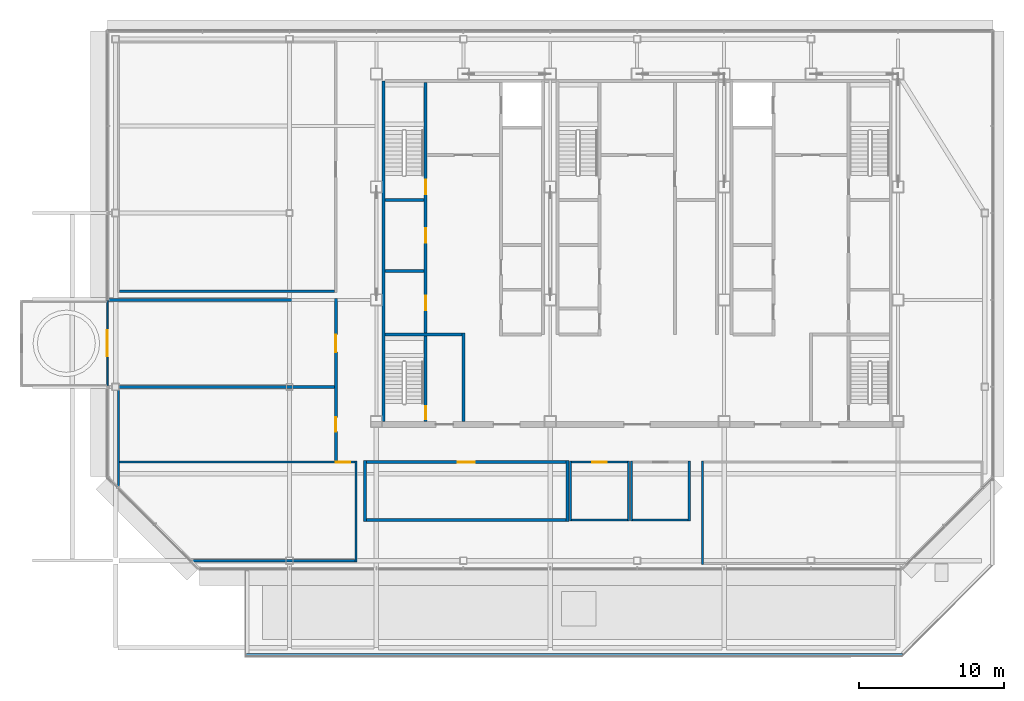
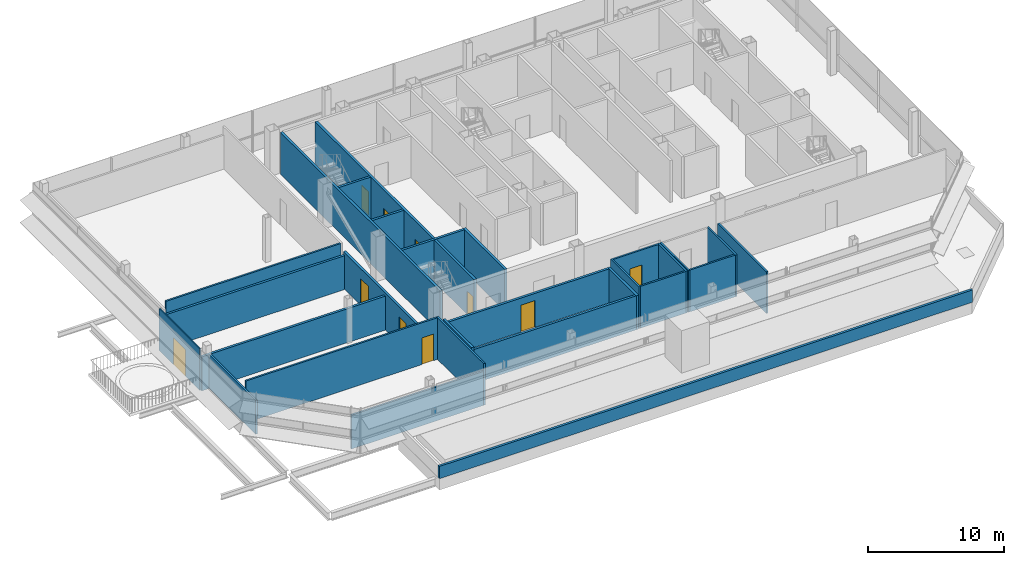
# One storey, part 20 of 26: 28 walls, 10 doors, 10 openings.
"""IFC4 building model written with IfcOpenShell, lengths in metres."""

from ifc_helpers import new_model, si_unit, direction, frame, frame_2d, origin, place, context, subcontext, project, spatial, rectangle, extrude, material, layer, layer_set, type_object, element, fill, save


model = new_model("IFC4")

# Units and contexts
model_context = context("Model", 3, precision=1e-05, world=origin(), true_north=direction((0.0, 1.0)))
body_context = subcontext(model_context, "Body", "Model", "MODEL_VIEW")
ifc_project = project(units=[si_unit("LENGTHUNIT", "METRE"), si_unit("AREAUNIT", "SQUARE_METRE"), si_unit("VOLUMEUNIT", "CUBIC_METRE"), si_unit("PLANEANGLEUNIT", "RADIAN"), si_unit("MASSUNIT", "GRAM", prefix="KILO")], contexts=[model_context])

# Site, building, storey
site_placement = place(None, origin())
site = spatial("IfcSite", under=ifc_project, at=site_placement, CompositionType="ELEMENT")
building_placement = place(site_placement, origin())
building = spatial("IfcBuilding", under=site, at=building_placement, Name="Sorahane Residences", CompositionType="ELEMENT")
storey_placement = place(building_placement, frame((0.0, 0.0, 337.800048828125)))
storey = spatial("IfcBuildingStorey", under=building, at=storey_placement, Name="L80", CompositionType="ELEMENT", Elevation=337.800048828125)

# Wall
ifc_material_1 = material(Name="Concrete C30", Category="concrete")
ifc_layer_1 = layer(ifc_material_1, 0.199951171875)
ifc_layer_set_1 = layer_set([ifc_layer_1], Name="Core face wall 200 EI 180")
wall_type_1 = type_object("IfcWallType", Name="Core face wall 200 EI 180", PredefinedType="SOLIDWALL", material=ifc_layer_set_1)
wall_1_placement = place(storey_placement, frame((6.5, 21.60009765625, 0.0), z_axis=(0.0, 0.0, 1.0), x_axis=(0.0, 1.0, 0.0)))
element("IfcWall", 1, at=wall_1_placement, inside=storey, type_object=wall_type_1, Name="L80 core face wall", PredefinedType="SOLIDWALL", context=body_context, shape_type="SweptSolid", body=[
    extrude(rectangle(XDim=23.5, YDim=0.199951171875, at=frame_2d((11.75, 0.0))), origin(), (0.0, 0.0, 1.0), 3.75),
])

# Wall, openings, doors
ifc_material_2 = material(Name="Concrete blockwork C20 wall", Category="masonry")
ifc_layer_2 = layer(ifc_material_2, 0.199951171875)
ifc_layer_set_2 = layer_set([ifc_layer_2], Name="Corridor wall 200 EI 120")
wall_type_2 = type_object("IfcWallType", Name="Corridor wall 200 EI 120", PredefinedType="SOLIDWALL", material=ifc_layer_set_2)
wall_2_placement = place(storey_placement, frame((3.199951171875, 18.875, 0.0), z_axis=(0.0, 0.0, 1.0), x_axis=(0.0, 1.0, 0.0)))
wall_2 = element("IfcWall", 2, at=wall_2_placement, inside=storey, type_object=wall_type_2, Name="L80 corridor wall", PredefinedType="SOLIDWALL", context=body_context, shape_type="SweptSolid", body=[
    extrude(rectangle(XDim=11.22509765625, YDim=0.199951171875, at=frame_2d((5.612548828125, 0.0))), origin(), (0.0, 0.0, 1.0), 3.300048828125),
])
opening_1_placement = place(wall_2_placement, frame((2.02490234375, 0.0, 0.0)))
opening_1 = element("IfcOpeningElement", 3, at=opening_1_placement, cuts=wall_2, Name="Opening L80-06", PredefinedType="OPENING", context=body_context, shape_type="SweptSolid", body=[
    extrude(rectangle(XDim=1.0, YDim=2.39990234375, at=frame_2d((0.5, 1.199951171875))), frame((0.0, 0.10986328125, 0.0), z_axis=(0.0, -1.0, 0.0), x_axis=(1.0, 0.0, 0.0)), (0.0, 0.0, 1.0), 0.219970703125),
])
opening_2_placement = place(wall_2_placement, frame((7.52490234375, 0.0, 0.0)))
opening_2 = element("IfcOpeningElement", 4, at=opening_2_placement, cuts=wall_2, Name="Opening L80-08", PredefinedType="OPENING", context=body_context, shape_type="SweptSolid", body=[
    extrude(rectangle(XDim=1.199951171875, YDim=2.39990234375, at=frame_2d((0.60009765625, 1.199951171875))), frame((0.0, 0.10986328125, 0.0), z_axis=(0.0, -1.0, 0.0), x_axis=(1.0, 0.0, 0.0)), (0.0, 0.0, 1.0), 0.219970703125),
])
ifc_material_3 = material(Name="Steel", Category="steel")
door_type_1 = type_object("IfcDoorType", Name="Lobby door 1200x2400 FD60", OperationType="NOTDEFINED", PredefinedType="DOOR", material=ifc_material_3)
door_1_placement = place(opening_2_placement, frame((1.199951171875, 0.0, 0.0), z_axis=(0.0, 0.0, 1.0), x_axis=(-1.0, 0.0, 0.0)))
door_1 = element("IfcDoor", 5, at=door_1_placement, inside=storey, type_object=door_type_1, Name="Lobby door L80-08", OperationType="SINGLE_SWING_LEFT", OverallHeight=2.39990234375, OverallWidth=1.199951171875, PredefinedType="DOOR", context=body_context, shape_type="SweptSolid", body=[
    extrude(rectangle(XDim=1.199951171875, YDim=2.39990234375, at=frame_2d((0.60009765625, 1.199951171875))), frame((0.0, 0.02490234375, 0.0), z_axis=(0.0, -1.0, 0.0), x_axis=(1.0, 0.0, 0.0)), (0.0, 0.0, 1.0), 0.050048828125),
])
fill(opening_2, door_1)
ifc_material_4 = material(Name="Timber veneered fire door", Category="wood")
door_type_2 = type_object("IfcDoorType", Name="Room door 1000x2400 FD30", OperationType="NOTDEFINED", PredefinedType="DOOR", material=ifc_material_4)
door_2_placement = place(opening_1_placement, origin())
door_2 = element("IfcDoor", 6, at=door_2_placement, inside=storey, type_object=door_type_2, Name="Room door L80-06", OperationType="SINGLE_SWING_RIGHT", OverallHeight=2.39990234375, OverallWidth=1.0, PredefinedType="DOOR", context=body_context, shape_type="SweptSolid", body=[
    extrude(rectangle(XDim=1.0, YDim=2.39990234375, at=frame_2d((0.5, 1.199951171875))), frame((0.0, 0.02490234375, 0.0), z_axis=(0.0, -1.0, 0.0), x_axis=(1.0, 0.0, 0.0)), (0.0, 0.0, 1.0), 0.050048828125),
])
fill(opening_1, door_2)

# Walls
for number, where, z_axis, x_axis, name in (
    (7, (-12.5, 24.0, 0.0), (0.0, 0.0, 1.0), (1.0, 0.0, 0.0), "L80 corridor wall"),
    (8, (-12.5, 30.0, 0.0), (0.0, 0.0, 1.0), (1.0, 0.0, 0.0), "L80 corridor wall"),
):
    element("IfcWall", number, at=place(storey_placement, frame(where, z_axis=z_axis, x_axis=x_axis)), inside=storey, type_object=wall_type_2, Name=name, PredefinedType="SOLIDWALL", context=body_context, shape_type="SweptSolid", body=[
        extrude(rectangle(XDim=15.60009765625, YDim=0.199951171875, at=frame_2d((7.800048828125, 0.0))), origin(), (0.0, 0.0, 1.0), 3.050048828125),
    ])
ifc_material_5 = material(Name="Concrete C30", Category="concrete")
ifc_layer_3 = layer(ifc_material_5, 0.199951171875)
ifc_layer_set_3 = layer_set([ifc_layer_3], Name="Front room wall 200 EI 120")
wall_type_3 = type_object("IfcWallType", Name="Front room wall 200 EI 120", PredefinedType="PARTITIONING", material=ifc_layer_set_3)
wall_3_placement = place(storey_placement, frame((12.0, 21.60009765625, 0.0), z_axis=(0.0, 0.0, 1.0), x_axis=(0.0, 1.0, 0.0)))
element("IfcWall", 9, at=wall_3_placement, inside=storey, type_object=wall_type_3, Name="L80 front room wall", PredefinedType="PARTITIONING", context=body_context, shape_type="SweptSolid", body=[
    extrude(rectangle(XDim=6.099853515625, YDim=0.199951171875, at=frame_2d((3.0498046875, 0.0))), origin(), (0.0, 0.0, 1.0), 3.75),
])

# Wall, opening, door
ifc_material_6 = material(Name="Toughened low-iron glass", Category="glass")
ifc_layer_4 = layer(ifc_material_6, 0.10009765625)
ifc_layer_set_4 = layer_set([ifc_layer_4], Name="Glazed door screen toughened low-iron glass 100")
wall_type_4 = type_object("IfcWallType", Name="Glazed door screen toughened low-iron glass 100", PredefinedType="SOLIDWALL", material=ifc_layer_set_4)
wall_4_placement = place(storey_placement, frame((-12.570068359375, 29.97509765625, 0.0), z_axis=(0.0, 0.0, 1.0), x_axis=(0.0, -1.0, 0.0)))
wall_4 = element("IfcWall", 10, at=wall_4_placement, inside=storey, type_object=wall_type_4, Name="Glazed door screen L80 W1.4", PredefinedType="SOLIDWALL", context=body_context, shape_type="SweptSolid", body=[
    extrude(rectangle(XDim=5.9501953125, YDim=0.10009765625, at=frame_2d((2.97509765625, 0.0))), origin(), (0.0, 0.0, 1.0), 3.75),
])
opening_3_placement = place(wall_4_placement, frame((2.074951171875, 0.0, 0.0)))
opening_3 = element("IfcOpeningElement", 11, at=opening_3_placement, cuts=wall_4, Name="Opening L80-F01", PredefinedType="OPENING", context=body_context, shape_type="SweptSolid", body=[
    extrude(rectangle(XDim=1.800048828125, YDim=2.39990234375, at=frame_2d((0.89990234375, 1.199951171875))), frame((0.0, 0.06005859375, 0.0), z_axis=(0.0, -1.0, 0.0), x_axis=(1.0, 0.0, 0.0)), (0.0, 0.0, 1.0), 0.1201171875),
])
ifc_material_7 = material(Name="Black anodised aluminium and low-iron glass", Category="aluminium")
door_type_3 = type_object("IfcDoorType", Name="Glazed terrace door black aluminium 1800x2400", OperationType="DOUBLE_DOOR_SINGLE_SWING", PredefinedType="DOOR", material=ifc_material_7)
door_3_placement = place(opening_3_placement, origin())
door_3 = element("IfcDoor", 12, at=door_3_placement, inside=storey, type_object=door_type_3, Name="Terrace door L80-F01", OperationType="DOUBLE_DOOR_SINGLE_SWING", OverallHeight=2.39990234375, OverallWidth=1.800048828125, PredefinedType="DOOR", context=body_context, shape_type="SweptSolid", body=[
    extrude(rectangle(XDim=1.800048828125, YDim=2.39990234375, at=frame_2d((0.89990234375, 1.199951171875))), frame((0.0, 0.02490234375, 0.0), z_axis=(0.0, -1.0, 0.0), x_axis=(1.0, 0.0, 0.0)), (0.0, 0.0, 1.0), 0.050048828125),
])
fill(opening_3, door_3)

# Walls
ifc_material_8 = material(Name="Concrete C35", Category="concrete")
ifc_layer_5 = layer(ifc_material_8, 0.199951171875)
ifc_layer_set_5 = layer_set([ifc_layer_5], Name="Parapet wall Concrete C35 200")
wall_type_5 = type_object("IfcWallType", Name="Parapet wall Concrete C35 200", PredefinedType="PARAPET", material=ifc_layer_set_5)
wall_5_placement = place(storey_placement, frame((42.30712890625, 5.5, 0.0), z_axis=(0.0, 0.0, 1.0), x_axis=(-1.0, 0.0, 0.0)))
element("IfcWall", 13, at=wall_5_placement, inside=storey, type_object=wall_type_5, Name="Roof parapet L80.1.1.3", PredefinedType="PARAPET", context=body_context, shape_type="SweptSolid", body=[
    extrude(rectangle(XDim=45.30712890625, YDim=0.199951171875, at=frame_2d((22.653564453125, 0.0))), origin(), (0.0, 0.0, 1.0), 1.099853515625),
])
ifc_material_9 = material(Name="Gypsum board partition on steel studs", Category="steel")
ifc_layer_6 = layer(ifc_material_9, 0.14990234375)
ifc_layer_set_6 = layer_set([ifc_layer_6], Name="Partition 150 EI 90")
wall_type_6 = type_object("IfcWallType", Name="Partition 150 EI 90", PredefinedType="PARTITIONING", material=ifc_layer_set_6)
wall_6_placement = place(storey_placement, frame((-11.800048828125, 17.093017578125, 0.0), z_axis=(0.0, 0.0, 1.0), x_axis=(0.0, 1.0, 0.0)))
element("IfcWall", 14, at=wall_6_placement, inside=storey, type_object=wall_type_6, Name="L80 partition", PredefinedType="PARTITIONING", context=body_context, shape_type="SweptSolid", body=[
    extrude(rectangle(XDim=6.806884765625, YDim=0.14990234375, at=frame_2d((3.4033203125, 0.0))), origin(), (0.0, 0.0, 1.0), 3.050048828125),
])
wall_7_placement = place(storey_placement, frame((4.60009765625, 11.925048828125, 0.0), z_axis=(0.0, 0.0, 1.0), x_axis=(0.0, 1.0, 0.0)))
element("IfcWall", 15, at=wall_7_placement, inside=storey, type_object=wall_type_6, Name="L80 partition", PredefinedType="PARTITIONING", context=body_context, shape_type="SweptSolid", body=[
    extrude(rectangle(XDim=6.949951171875, YDim=0.14990234375, at=frame_2d((3.47509765625, 0.0))), origin(), (0.0, 0.0, 1.0), 3.75),
])
for number, where, z_axis, x_axis, name in (
    (16, (19.39990234375, 14.72509765625, 0.0), (0.0, 0.0, 1.0), (0.0, 1.0, 0.0), "L80 partition"),
    (17, (23.39990234375, 14.72509765625, 0.0), (0.0, 0.0, 1.0), (0.0, 1.0, 0.0), "L80 partition"),
):
    element("IfcWall", number, at=place(storey_placement, frame(where, z_axis=z_axis, x_axis=x_axis)), inside=storey, type_object=wall_type_6, Name=name, PredefinedType="PARTITIONING", context=body_context, shape_type="SweptSolid", body=[
        extrude(rectangle(XDim=4.14990234375, YDim=0.14990234375, at=frame_2d((2.074951171875, 0.0))), origin(), (0.0, 0.0, 1.0), 3.75),
    ])
wall_8_placement = place(storey_placement, frame((28.5, 11.72509765625, 0.0), z_axis=(0.0, 0.0, 1.0), x_axis=(0.0, 1.0, 0.0)))
element("IfcWall", 18, at=wall_8_placement, inside=storey, type_object=wall_type_6, Name="L80 partition", PredefinedType="PARTITIONING", context=body_context, shape_type="SweptSolid", body=[
    extrude(rectangle(XDim=7.14990234375, YDim=0.14990234375, at=frame_2d((3.574951171875, 0.0))), origin(), (0.0, 0.0, 1.0), 3.75),
])
wall_9_placement = place(storey_placement, frame((-6.70703125, 12.0, 0.0), z_axis=(0.0, 0.0, 1.0), x_axis=(1.0, 0.0, 0.0)))
element("IfcWall", 19, at=wall_9_placement, inside=storey, type_object=wall_type_6, Name="L80 partition", PredefinedType="PARTITIONING", context=body_context, shape_type="SweptSolid", body=[
    extrude(rectangle(XDim=11.23193359375, YDim=0.14990234375, at=frame_2d((5.615966796875, 0.0))), origin(), (0.0, 0.0, 1.0), 3.050048828125),
])
wall_10_placement = place(storey_placement, frame((19.47509765625, 14.800048828125, 0.0), z_axis=(0.0, 0.0, 1.0), x_axis=(1.0, 0.0, 0.0)))
element("IfcWall", 20, at=wall_10_placement, inside=storey, type_object=wall_type_6, Name="L80 partition", PredefinedType="PARTITIONING", context=body_context, shape_type="SweptSolid", body=[
    extrude(rectangle(XDim=3.849853515625, YDim=0.14990234375, at=frame_2d((1.9248046875, 0.0))), origin(), (0.0, 0.0, 1.0), 3.75),
])

# Wall, opening, door
wall_11_placement = place(storey_placement, frame((-11.72509765625, 18.800048828125, 0.0), z_axis=(0.0, 0.0, 1.0), x_axis=(1.0, 0.0, 0.0)))
wall_11 = element("IfcWall", 21, at=wall_11_placement, inside=storey, type_object=wall_type_6, Name="L80 partition", PredefinedType="PARTITIONING", context=body_context, shape_type="SweptSolid", body=[
    extrude(rectangle(XDim=16.25, YDim=0.14990234375, at=frame_2d((8.125, 0.0))), origin(), (0.0, 0.0, 1.0), 3.75),
])
opening_4_placement = place(wall_11_placement, frame((14.925048828125, 0.0, 0.0)))
opening_4 = element("IfcOpeningElement", 22, at=opening_4_placement, cuts=wall_11, Name="Opening L80-07", PredefinedType="OPENING", context=body_context, shape_type="SweptSolid", body=[
    extrude(rectangle(XDim=1.0, YDim=2.39990234375, at=frame_2d((0.5, 1.199951171875))), frame((0.0, 0.0849609375, 0.0), z_axis=(0.0, -1.0, 0.0), x_axis=(1.0, 0.0, 0.0)), (0.0, 0.0, 1.0), 0.169921875),
])
door_4_placement = place(opening_4_placement, frame((1.0, 0.0, 0.0), z_axis=(0.0, 0.0, 1.0), x_axis=(-1.0, 0.0, 0.0)))
door_4 = element("IfcDoor", 23, at=door_4_placement, inside=storey, type_object=door_type_2, Name="Room door L80-07", OperationType="SINGLE_SWING_RIGHT", OverallHeight=2.39990234375, OverallWidth=1.0, PredefinedType="DOOR", context=body_context, shape_type="SweptSolid", body=[
    extrude(rectangle(XDim=1.0, YDim=2.39990234375, at=frame_2d((0.5, 1.199951171875))), frame((0.0, 0.02490234375, 0.0), z_axis=(0.0, -1.0, 0.0), x_axis=(1.0, 0.0, 0.0)), (0.0, 0.0, 1.0), 0.050048828125),
])
fill(opening_4, door_4)

wall_12_placement = place(storey_placement, frame((19.47509765625, 18.800048828125, 0.0), z_axis=(0.0, 0.0, 1.0), x_axis=(1.0, 0.0, 0.0)))
wall_12 = element("IfcWall", 24, at=wall_12_placement, inside=storey, type_object=wall_type_6, Name="L80 partition", PredefinedType="PARTITIONING", context=body_context, shape_type="SweptSolid", body=[
    extrude(rectangle(XDim=3.849853515625, YDim=0.14990234375, at=frame_2d((1.9248046875, 0.0))), origin(), (0.0, 0.0, 1.0), 3.75),
])
opening_5_placement = place(wall_12_placement, frame((1.425048828125, 0.0, 0.0)))
opening_5 = element("IfcOpeningElement", 25, at=opening_5_placement, cuts=wall_12, Name="Opening L80-02", PredefinedType="OPENING", context=body_context, shape_type="SweptSolid", body=[
    extrude(rectangle(XDim=1.0, YDim=2.39990234375, at=frame_2d((0.5, 1.199951171875))), frame((0.0, 0.0849609375, 0.0), z_axis=(0.0, -1.0, 0.0), x_axis=(1.0, 0.0, 0.0)), (0.0, 0.0, 1.0), 0.169921875),
])
ifc_material_10 = material(Name="Steel", Category="steel")
door_type_4 = type_object("IfcDoorType", Name="Plant door 1000x2400 FD60", OperationType="NOTDEFINED", PredefinedType="DOOR", material=ifc_material_10)
door_5_placement = place(opening_5_placement, origin())
door_5 = element("IfcDoor", 26, at=door_5_placement, inside=storey, type_object=door_type_4, Name="Plant door L80-02", OperationType="SINGLE_SWING_RIGHT", OverallHeight=2.39990234375, OverallWidth=1.0, PredefinedType="DOOR", context=body_context, shape_type="SweptSolid", body=[
    extrude(rectangle(XDim=1.0, YDim=2.39990234375, at=frame_2d((0.5, 1.199951171875))), frame((0.0, 0.02490234375, 0.0), z_axis=(0.0, -1.0, 0.0), x_axis=(1.0, 0.0, 0.0)), (0.0, 0.0, 1.0), 0.050048828125),
])
fill(opening_5, door_5)

# Walls
wall_13_placement = place(storey_placement, frame((-11.72509765625, 30.60009765625, 0.0), z_axis=(0.0, 0.0, 1.0), x_axis=(1.0, 0.0, 0.0)))
element("IfcWall", 27, at=wall_13_placement, inside=storey, type_object=wall_type_6, Name="L80 partition", PredefinedType="PARTITIONING", context=body_context, shape_type="SweptSolid", body=[
    extrude(rectangle(XDim=14.85009765625, YDim=0.14990234375, at=frame_2d((7.425048828125, 0.0))), origin(), (0.0, 0.0, 1.0), 3.75),
])
ifc_material_11 = material(Name="Concrete blockwork C20 wall", Category="masonry")
ifc_layer_7 = layer(ifc_material_11, 0.199951171875)
ifc_layer_set_7 = layer_set([ifc_layer_7], Name="Plant wall 200 EI 120")
wall_type_7 = type_object("IfcWallType", Name="Plant wall 200 EI 120", PredefinedType="SOLIDWALL", material=ifc_layer_set_7)
wall_14_placement = place(storey_placement, frame((5.199951171875, 14.699951171875, 0.0), z_axis=(0.0, 0.0, 1.0), x_axis=(0.0, 1.0, 0.0)))
element("IfcWall", 28, at=wall_14_placement, inside=storey, type_object=wall_type_7, Name="L80 plant wall", PredefinedType="SOLIDWALL", context=body_context, shape_type="SweptSolid", body=[
    extrude(rectangle(XDim=4.199951171875, YDim=0.199951171875, at=frame_2d((2.10009765625, 0.0))), origin(), (0.0, 0.0, 1.0), 3.300048828125),
])
wall_15_placement = place(storey_placement, frame((19.199951171875, 14.699951171875, 0.0), z_axis=(0.0, 0.0, 1.0), x_axis=(0.0, 1.0, 0.0)))
element("IfcWall", 29, at=wall_15_placement, inside=storey, type_object=wall_type_7, Name="L80 plant wall", PredefinedType="SOLIDWALL", context=body_context, shape_type="SweptSolid", body=[
    extrude(rectangle(XDim=4.199951171875, YDim=0.199951171875, at=frame_2d((2.10009765625, 0.0))), origin(), (0.0, 0.0, 1.0), 3.050048828125),
])
wall_16_placement = place(storey_placement, frame((5.300048828125, 14.800048828125, 0.0), z_axis=(0.0, 0.0, 1.0), x_axis=(1.0, 0.0, 0.0)))
element("IfcWall", 30, at=wall_16_placement, inside=storey, type_object=wall_type_7, Name="L80 plant wall", PredefinedType="SOLIDWALL", context=body_context, shape_type="SweptSolid", body=[
    extrude(rectangle(XDim=13.800048828125, YDim=0.199951171875, at=frame_2d((6.89990234375, 0.0))), origin(), (0.0, 0.0, 1.0), 3.050048828125),
])

# Wall, opening, door
wall_17_placement = place(storey_placement, frame((5.300048828125, 18.800048828125, 0.0), z_axis=(0.0, 0.0, 1.0), x_axis=(1.0, 0.0, 0.0)))
wall_17 = element("IfcWall", 31, at=wall_17_placement, inside=storey, type_object=wall_type_7, Name="L80 plant wall", PredefinedType="SOLIDWALL", context=body_context, shape_type="SweptSolid", body=[
    extrude(rectangle(XDim=13.800048828125, YDim=0.199951171875, at=frame_2d((6.89990234375, 0.0))), origin(), (0.0, 0.0, 1.0), 3.050048828125),
])
opening_6_placement = place(wall_17_placement, frame((6.300048828125, 0.0, 0.0)))
opening_6 = element("IfcOpeningElement", 32, at=opening_6_placement, cuts=wall_17, Name="Opening L80-01", PredefinedType="OPENING", context=body_context, shape_type="SweptSolid", body=[
    extrude(rectangle(XDim=1.199951171875, YDim=2.39990234375, at=frame_2d((0.60009765625, 1.199951171875))), frame((0.0, 0.10986328125, 0.0), z_axis=(0.0, -1.0, 0.0), x_axis=(1.0, 0.0, 0.0)), (0.0, 0.0, 1.0), 0.219970703125),
])
ifc_material_12 = material(Name="Steel", Category="steel")
door_type_5 = type_object("IfcDoorType", Name="Plant door 1200x2400 FD60", OperationType="NOTDEFINED", PredefinedType="DOOR", material=ifc_material_12)
door_6_placement = place(opening_6_placement, origin())
door_6 = element("IfcDoor", 33, at=door_6_placement, inside=storey, type_object=door_type_5, Name="Plant door L80-01", OperationType="SINGLE_SWING_LEFT", OverallHeight=2.39990234375, OverallWidth=1.199951171875, PredefinedType="DOOR", context=body_context, shape_type="SweptSolid", body=[
    extrude(rectangle(XDim=1.199951171875, YDim=2.39990234375, at=frame_2d((0.60009765625, 1.199951171875))), frame((0.0, 0.02490234375, 0.0), z_axis=(0.0, -1.0, 0.0), x_axis=(1.0, 0.0, 0.0)), (0.0, 0.0, 1.0), 0.050048828125),
])
fill(opening_6, door_6)

# Wall
ifc_material_13 = material(Name="Concrete C30", Category="concrete")
ifc_layer_8 = layer(ifc_material_13, 0.199951171875)
ifc_layer_set_8 = layer_set([ifc_layer_8], Name="Service room partition 200 EI 60")
wall_type_8 = type_object("IfcWallType", Name="Service room partition 200 EI 60", PredefinedType="PARTITIONING", material=ifc_layer_set_8)
wall_18_placement = place(storey_placement, frame((6.60009765625, 32.0, 0.0), z_axis=(0.0, 0.0, 1.0), x_axis=(1.0, 0.0, 0.0)))
element("IfcWall", 34, at=wall_18_placement, inside=storey, type_object=wall_type_8, Name="L80 service room wall", PredefinedType="PARTITIONING", context=body_context, shape_type="SweptSolid", body=[
    extrude(rectangle(XDim=2.699951171875, YDim=0.199951171875, at=frame_2d((1.35009765625, 0.0))), origin(), (0.0, 0.0, 1.0), 3.75),
])

# Wall, openings, doors
ifc_material_14 = material(Name="Concrete C30", Category="concrete")
ifc_layer_9 = layer(ifc_material_14, 0.199951171875)
ifc_layer_set_9 = layer_set([ifc_layer_9], Name="Stair enclosure wall 200 EI 120")
wall_type_9 = type_object("IfcWallType", Name="Stair enclosure wall 200 EI 120", PredefinedType="SOLIDWALL", material=ifc_layer_set_9)
wall_19_placement = place(storey_placement, frame((9.39990234375, 21.60009765625, 0.0), z_axis=(0.0, 0.0, 1.0), x_axis=(0.0, 1.0, 0.0)))
wall_19 = element("IfcWall", 35, at=wall_19_placement, inside=storey, type_object=wall_type_9, Name="L80 stair enclosure wall", PredefinedType="SOLIDWALL", context=body_context, shape_type="SweptSolid", body=[
    extrude(rectangle(XDim=23.39990234375, YDim=0.199951171875, at=frame_2d((11.699951171875, 0.0))), origin(), (0.0, 0.0, 1.0), 3.75),
])
opening_7_placement = place(wall_19_placement, frame((7.699951171875, 0.0, 0.0)))
opening_7 = element("IfcOpeningElement", 36, at=opening_7_placement, cuts=wall_19, Name="Opening L80-C19", PredefinedType="OPENING", context=body_context, shape_type="SweptSolid", body=[
    extrude(rectangle(XDim=1.0, YDim=2.10009765625, at=frame_2d((0.5, 1.050048828125))), frame((0.0, 0.10986328125, 0.0), z_axis=(0.0, -1.0, 0.0), x_axis=(1.0, 0.0, 0.0)), (0.0, 0.0, 1.0), 0.219970703125),
])
opening_8_placement = place(wall_19_placement, frame((12.35009765625, 0.0, 0.0)))
opening_8 = element("IfcOpeningElement", 37, at=opening_8_placement, cuts=wall_19, Name="Opening L80-C20", PredefinedType="OPENING", context=body_context, shape_type="SweptSolid", body=[
    extrude(rectangle(XDim=1.0, YDim=2.10009765625, at=frame_2d((0.5, 1.050048828125))), frame((0.0, 0.10986328125, 0.0), z_axis=(0.0, -1.0, 0.0), x_axis=(1.0, 0.0, 0.0)), (0.0, 0.0, 1.0), 0.219970703125),
])
opening_9_placement = place(wall_19_placement, frame((15.699951171875, 0.0, 0.0)))
opening_9 = element("IfcOpeningElement", 38, at=opening_9_placement, cuts=wall_19, Name="Opening L80-C21", PredefinedType="OPENING", context=body_context, shape_type="SweptSolid", body=[
    extrude(rectangle(XDim=1.0, YDim=2.10009765625, at=frame_2d((0.5, 1.050048828125))), frame((0.0, 0.10986328125, 0.0), z_axis=(0.0, -1.0, 0.0), x_axis=(1.0, 0.0, 0.0)), (0.0, 0.0, 1.0), 0.219970703125),
])
opening_10_placement = place(wall_19_placement, frame((0.175048828125, 0.0, 0.0)))
opening_10 = element("IfcOpeningElement", 39, at=opening_10_placement, cuts=wall_19, Name="Opening L80-C24", PredefinedType="OPENING", context=body_context, shape_type="SweptSolid", body=[
    extrude(rectangle(XDim=0.89990234375, YDim=2.10009765625, at=frame_2d((0.449951171875, 1.050048828125))), frame((0.0, 0.10986328125, 0.0), z_axis=(0.0, -1.0, 0.0), x_axis=(1.0, 0.0, 0.0)), (0.0, 0.0, 1.0), 0.219970703125),
])
ifc_material_15 = material(Name="Steel", Category="steel")
door_type_6 = type_object("IfcDoorType", Name="Service room door 1000x2100 FD60", OperationType="NOTDEFINED", PredefinedType="DOOR", material=ifc_material_15)
door_7_placement = place(opening_7_placement, origin())
door_7 = element("IfcDoor", 40, at=door_7_placement, inside=storey, type_object=door_type_6, Name="Service room door Flower room L80", OperationType="SINGLE_SWING_LEFT", OverallHeight=2.10009765625, OverallWidth=1.0, PredefinedType="DOOR", context=body_context, shape_type="SweptSolid", body=[
    extrude(rectangle(XDim=1.0, YDim=2.10009765625, at=frame_2d((0.5, 1.050048828125))), frame((0.0, 0.02490234375, 0.0), z_axis=(0.0, -1.0, 0.0), x_axis=(1.0, 0.0, 0.0)), (0.0, 0.0, 1.0), 0.050048828125),
])
fill(opening_7, door_7)
door_8_placement = place(opening_8_placement, origin())
door_8 = element("IfcDoor", 41, at=door_8_placement, inside=storey, type_object=door_type_6, Name="Service room door Archive L80", OperationType="SINGLE_SWING_LEFT", OverallHeight=2.10009765625, OverallWidth=1.0, PredefinedType="DOOR", context=body_context, shape_type="SweptSolid", body=[
    extrude(rectangle(XDim=1.0, YDim=2.10009765625, at=frame_2d((0.5, 1.050048828125))), frame((0.0, 0.02490234375, 0.0), z_axis=(0.0, -1.0, 0.0), x_axis=(1.0, 0.0, 0.0)), (0.0, 0.0, 1.0), 0.050048828125),
])
fill(opening_8, door_8)
ifc_material_16 = material(Name="Steel", Category="steel")
door_type_7 = type_object("IfcDoorType", Name="Stair door 1000x2100 FD120", OperationType="NOTDEFINED", PredefinedType="DOOR", material=ifc_material_16)
door_9_placement = place(opening_9_placement, origin())
door_9 = element("IfcDoor", 42, at=door_9_placement, inside=storey, type_object=door_type_7, Name="Stair door S1 L80", OperationType="SINGLE_SWING_LEFT", OverallHeight=2.10009765625, OverallWidth=1.0, PredefinedType="DOOR", context=body_context, shape_type="SweptSolid", body=[
    extrude(rectangle(XDim=1.0, YDim=2.10009765625, at=frame_2d((0.5, 1.050048828125))), frame((0.0, 0.02490234375, 0.0), z_axis=(0.0, -1.0, 0.0), x_axis=(1.0, 0.0, 0.0)), (0.0, 0.0, 1.0), 0.050048828125),
])
fill(opening_9, door_9)
ifc_material_17 = material(Name="Steel", Category="steel")
door_type_8 = type_object("IfcDoorType", Name="Stair door 900x2100 FD120", OperationType="NOTDEFINED", PredefinedType="DOOR", material=ifc_material_17)
door_10_placement = place(opening_10_placement, origin())
door_10 = element("IfcDoor", 43, at=door_10_placement, inside=storey, type_object=door_type_8, Name="Stair door S4 L80", OperationType="SINGLE_SWING_LEFT", OverallHeight=2.10009765625, OverallWidth=0.89990234375, PredefinedType="DOOR", context=body_context, shape_type="SweptSolid", body=[
    extrude(rectangle(XDim=0.89990234375, YDim=2.10009765625, at=frame_2d((0.449951171875, 1.050048828125))), frame((0.0, 0.02490234375, 0.0), z_axis=(0.0, -1.0, 0.0), x_axis=(1.0, 0.0, 0.0)), (0.0, 0.0, 1.0), 0.050048828125),
])
fill(opening_10, door_10)

# Walls
wall_20_placement = place(storey_placement, frame((6.60009765625, 27.60009765625, 0.0), z_axis=(0.0, 0.0, 1.0), x_axis=(1.0, 0.0, 0.0)))
element("IfcWall", 44, at=wall_20_placement, inside=storey, type_object=wall_type_9, Name="L80 stair enclosure wall", PredefinedType="SOLIDWALL", context=body_context, shape_type="SweptSolid", body=[
    extrude(rectangle(XDim=5.2998046875, YDim=0.199951171875, at=frame_2d((2.64990234375, 0.0))), origin(), (0.0, 0.0, 1.0), 3.75),
])
wall_21_placement = place(storey_placement, frame((6.60009765625, 36.89990234375, 0.0), z_axis=(0.0, 0.0, 1.0), x_axis=(1.0, 0.0, 0.0)))
element("IfcWall", 45, at=wall_21_placement, inside=storey, type_object=wall_type_9, Name="L80 stair enclosure wall", PredefinedType="SOLIDWALL", context=body_context, shape_type="SweptSolid", body=[
    extrude(rectangle(XDim=2.699951171875, YDim=0.199951171875, at=frame_2d((1.35009765625, 0.0))), origin(), (0.0, 0.0, 1.0), 3.75),
])
ifc_material_18 = material(Name="Gypsum board partition on steel studs", Category="steel")
ifc_layer_10 = layer(ifc_material_18, 0.14990234375)
ifc_layer_set_10 = layer_set([ifc_layer_10], Name="Wet wall 150 EI 90")
wall_type_10 = type_object("IfcWallType", Name="Wet wall 150 EI 90", PredefinedType="PARTITIONING", material=ifc_layer_set_10)
for number, where, z_axis, x_axis, name in (
    (46, (23.60009765625, 14.72509765625, 0.0), (0.0, 0.0, 1.0), (0.0, 1.0, 0.0), "L80 wet wall"),
    (47, (27.60009765625, 14.72509765625, 0.0), (0.0, 0.0, 1.0), (0.0, 1.0, 0.0), "L80 wet wall"),
):
    element("IfcWall", number, at=place(storey_placement, frame(where, z_axis=z_axis, x_axis=x_axis)), inside=storey, type_object=wall_type_10, Name=name, PredefinedType="PARTITIONING", context=body_context, shape_type="SweptSolid", body=[
        extrude(rectangle(XDim=4.14990234375, YDim=0.14990234375, at=frame_2d((2.074951171875, 0.0))), origin(), (0.0, 0.0, 1.0), 3.75),
    ])
wall_22_placement = place(storey_placement, frame((23.675048828125, 14.800048828125, 0.0), z_axis=(0.0, 0.0, 1.0), x_axis=(1.0, 0.0, 0.0)))
element("IfcWall", 48, at=wall_22_placement, inside=storey, type_object=wall_type_10, Name="L80 wet wall", PredefinedType="PARTITIONING", context=body_context, shape_type="SweptSolid", body=[
    extrude(rectangle(XDim=3.849853515625, YDim=0.14990234375, at=frame_2d((1.9248046875, 0.0))), origin(), (0.0, 0.0, 1.0), 3.75),
])

save(model, "model.ifc")
